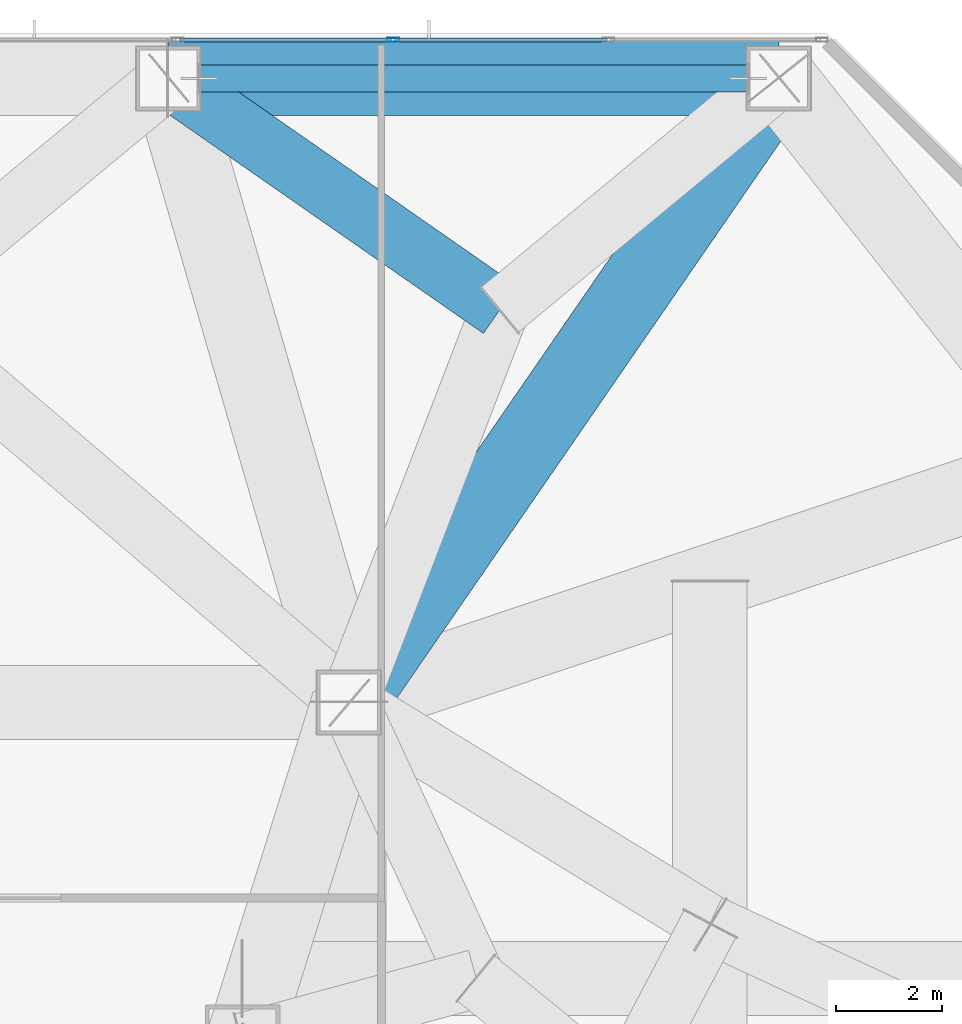
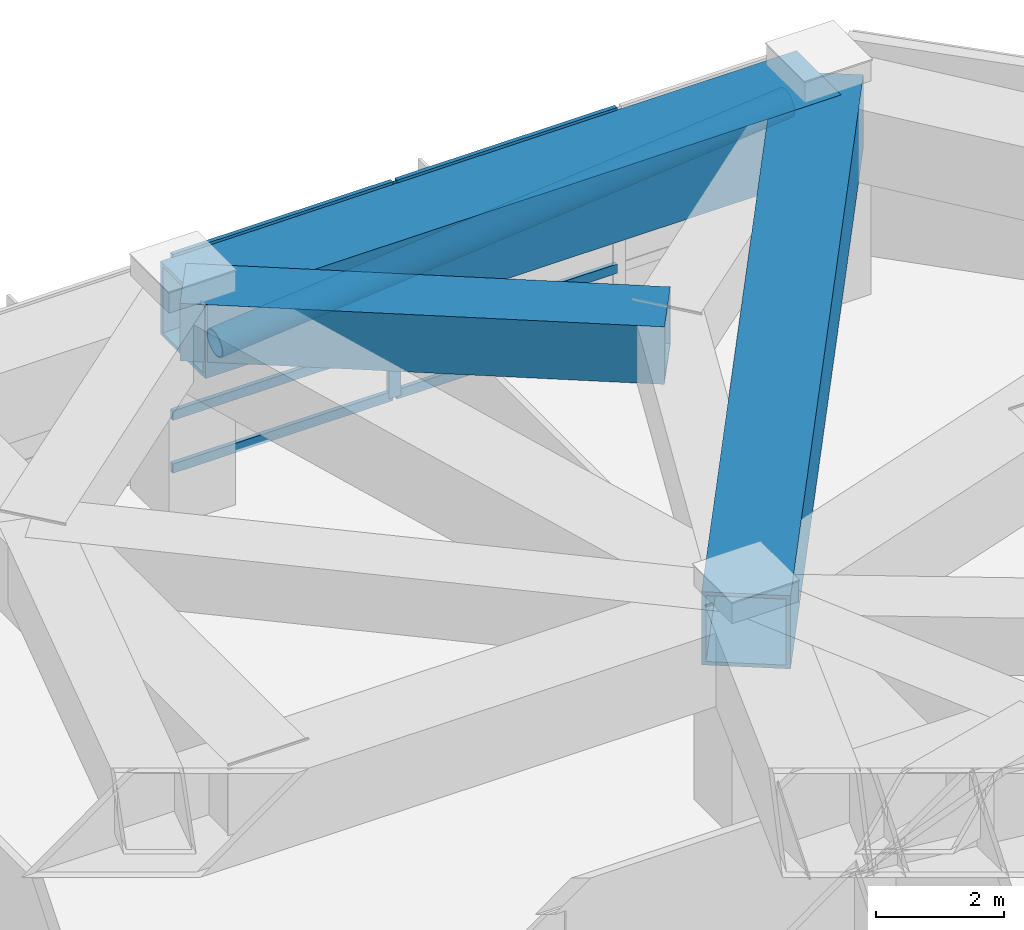
# One storey, part 11 of 27: 8 members, 3 beams, 1 element without a shape of its own.
"""IFC4 building model written with IfcOpenShell, lengths in metres."""

from ifc_helpers import new_model, si_unit, direction, frame, origin, origin_2d, place, context, subcontext, project, spatial, hollow_rectangle, hollow_circle, extrude, material, material_profile, profile_set, type_object, element, aggregate, save


model = new_model("IFC4")

# Units and contexts
model_context = context("Model", 3, precision=1e-05, world=origin(), true_north=direction((0.0, 1.0)))
body_context = subcontext(model_context, "Body", "Model", "MODEL_VIEW")
ifc_project = project(units=[si_unit("LENGTHUNIT", "METRE"), si_unit("AREAUNIT", "SQUARE_METRE"), si_unit("VOLUMEUNIT", "CUBIC_METRE"), si_unit("PLANEANGLEUNIT", "RADIAN"), si_unit("MASSUNIT", "GRAM", prefix="KILO")], contexts=[model_context])

# Site, building, storey
site_placement = place(None, origin())
site = spatial("IfcSite", under=ifc_project, at=site_placement, CompositionType="ELEMENT")
building_placement = place(site_placement, origin())
building = spatial("IfcBuilding", under=site, at=building_placement, Name="Khamvora Tower", CompositionType="ELEMENT")
storey_placement = place(building_placement, frame((0.0, 0.0, 28.800048828125)))
storey = spatial("IfcBuildingStorey", under=building, at=storey_placement, Name="L06", CompositionType="ELEMENT", Elevation=28.800048828125)

# Beams
ifc_material_1 = material(Name="Steel S460", Category="steel")
ifc_material_profile_1 = material_profile(ifc_material_1, hollow_rectangle(XDim=1.10009765625, YDim=1.10009765625, WallThickness=0.054931640625, at=origin_2d()), Name="BOX1100x1100x55")
ifc_profile_set_1 = profile_set([ifc_material_profile_1], Name="Steel S460")
beam_type_1 = type_object("IfcBeamType", Name="BM-TG-BOX1100", PredefinedType="BEAM", material=ifc_profile_set_1)
beam_1_placement = place(storey_placement, frame((38.0, 55.14990234375, 3.530029296875), z_axis=(0.820780366055, -0.571243897734, 0.0), x_axis=(0.571243897734, 0.820780366055, 0.0)))
element("IfcBeam", 1, at=beam_1_placement, inside=storey, type_object=beam_type_1, Name="L06 setback frame transfer frame transfer link N4.2", PredefinedType="BEAM", context=body_context, shape_type="SweptSolid", body=[
    extrude(hollow_rectangle(XDim=1.10009765625, YDim=1.10009765625, WallThickness=0.054931640625, at=origin_2d()), origin(), (0.0, 0.0, 1.0), 7.61474609375),
])
ifc_material_profile_2 = material_profile(ifc_material_1, hollow_rectangle(XDim=1.39990234375, YDim=1.39990234375, WallThickness=0.070068359375, at=origin_2d()), Name="BOX1400x1400x70")
ifc_profile_set_2 = profile_set([ifc_material_profile_2], Name="Steel S460")
beam_type_2 = type_object("IfcBeamType", Name="BM-TG-BOX1400", PredefinedType="BEAM", material=ifc_profile_set_2)
beam_2_placement = place(storey_placement, frame((49.5, 55.14990234375, 3.3798828125), z_axis=(-1.0, 0.0, 0.0), x_axis=(0.0, -1.0, 0.0)))
element("IfcBeam", 2, at=beam_2_placement, inside=storey, type_object=beam_type_2, Name="L06 perimeter spandrel beam P08-P07", PredefinedType="BEAM", context=body_context, shape_type="SweptSolid", body=[
    extrude(hollow_rectangle(XDim=1.39990234375, YDim=1.39990234375, WallThickness=0.070068359375, at=origin_2d()), origin(), (0.0, 0.0, 1.0), 11.5),
])
beam_3_placement = place(storey_placement, frame((41.39990234375, 43.39990234375, 3.3798828125), z_axis=(0.567573841069, 0.823322497527, 0.0), x_axis=(-0.823322497527, 0.567573841069, 0.0)))
element("IfcBeam", 3, at=beam_3_placement, inside=storey, type_object=beam_type_2, Name="L06 primary floor girder P08", PredefinedType="BEAM", context=body_context, shape_type="SweptSolid", body=[
    extrude(hollow_rectangle(XDim=1.39990234375, YDim=1.39990234375, WallThickness=0.070068359375, at=origin_2d()), origin(), (0.0, 0.0, 1.0), 14.271484375),
])

# Curtain wall, members
ifc_material_2 = material(Name="Anodised Aluminium 6063-T6", Category="aluminium")
curtain_wall_type = type_object("IfcCurtainWallType", Name="CW-SYS-01", PredefinedType="NOTDEFINED", material=ifc_material_2)
curtain_wall_placement = place(storey_placement, origin())
curtain_wall = element("IfcCurtainWall", 4, at=curtain_wall_placement, inside=storey, type_object=curtain_wall_type, Name="L06 stick curtain wall 07.1", PredefinedType="NOTDEFINED")
ifc_material_profile_3 = material_profile(ifc_material_2, hollow_rectangle(XDim=0.074951171875, YDim=0.219970703125, WallThickness=0.0048828125, at=origin_2d()), Name="MUL75x220x5")
ifc_profile_set_3 = profile_set([ifc_material_profile_3], Name="Anodised Aluminium 6063-T6")
member_type_1 = type_object("IfcMemberType", Name="CW-SYS-01-MUL", PredefinedType="MULLION", material=ifc_profile_set_3)
member_1_placement = place(storey_placement, frame((42.23681640625, 55.8798828125, 0.0), z_axis=(0.0, 0.0, 1.0), x_axis=(0.0, 1.0, 0.0)))
member_1 = element("IfcMember", 5, at=member_1_placement, type_object=member_type_1, Name="CW-01 mullion 10", PredefinedType="MULLION", context=body_context, shape_type="SweptSolid", body=[
    extrude(hollow_rectangle(XDim=0.074951171875, YDim=0.219970703125, WallThickness=0.0048828125, at=origin_2d()), origin(), (0.0, 0.0, 1.0), 4.079833984375),
])
ifc_material_profile_4 = material_profile(ifc_material_2, hollow_rectangle(XDim=0.074951171875, YDim=0.179931640625, WallThickness=0.0048828125, at=origin_2d()), Name="TRN75x180x5")
ifc_profile_set_4 = profile_set([ifc_material_profile_4], Name="Anodised Aluminium 6063-T6")
member_type_2 = type_object("IfcMemberType", Name="CW-SYS-01-TRN", PredefinedType="USERDEFINED", material=ifc_profile_set_4)
member_2_placement = place(storey_placement, frame((38.217529296875, 55.8798828125, 0.037353515625), z_axis=(1.0, 0.0, 0.0), x_axis=(0.0, 1.0, 0.0)))
member_2 = element("IfcMember", 6, at=member_2_placement, type_object=member_type_2, Name="CW-01 transom 9.1", ObjectType="TRANSOM", PredefinedType="USERDEFINED", context=body_context, shape_type="SweptSolid", body=[
    extrude(hollow_rectangle(XDim=0.074951171875, YDim=0.179931640625, WallThickness=0.0048828125, at=origin_2d()), origin(), (0.0, 0.0, 1.0), 3.981689453125),
])
member_3_placement = place(storey_placement, frame((38.217529296875, 55.8798828125, 1.050048828125), z_axis=(1.0, 0.0, 0.0), x_axis=(0.0, 1.0, 0.0)))
member_3 = element("IfcMember", 7, at=member_3_placement, type_object=member_type_2, Name="CW-01 transom 9.2", ObjectType="TRANSOM", PredefinedType="USERDEFINED", context=body_context, shape_type="SweptSolid", body=[
    extrude(hollow_rectangle(XDim=0.074951171875, YDim=0.179931640625, WallThickness=0.0048828125, at=origin_2d()), origin(), (0.0, 0.0, 1.0), 3.981689453125),
])
member_4_placement = place(storey_placement, frame((38.217529296875, 55.8798828125, 4.04248046875), z_axis=(1.0, 0.0, 0.0), x_axis=(0.0, 1.0, 0.0)))
member_4 = element("IfcMember", 8, at=member_4_placement, type_object=member_type_2, Name="CW-01 transom 9.3", ObjectType="TRANSOM", PredefinedType="USERDEFINED", context=body_context, shape_type="SweptSolid", body=[
    extrude(hollow_rectangle(XDim=0.074951171875, YDim=0.179931640625, WallThickness=0.0048828125, at=origin_2d()), origin(), (0.0, 0.0, 1.0), 3.981689453125),
])
member_5_placement = place(storey_placement, frame((42.274169921875, 55.8798828125, 0.037353515625), z_axis=(1.0, 0.0, 0.0), x_axis=(0.0, 1.0, 0.0)))
member_5 = element("IfcMember", 9, at=member_5_placement, type_object=member_type_2, Name="CW-01 transom 10.1", ObjectType="TRANSOM", PredefinedType="USERDEFINED", context=body_context, shape_type="SweptSolid", body=[
    extrude(hollow_rectangle(XDim=0.074951171875, YDim=0.179931640625, WallThickness=0.0048828125, at=origin_2d()), origin(), (0.0, 0.0, 1.0), 3.981689453125),
])
member_6_placement = place(storey_placement, frame((42.274169921875, 55.8798828125, 1.050048828125), z_axis=(1.0, 0.0, 0.0), x_axis=(0.0, 1.0, 0.0)))
member_6 = element("IfcMember", 10, at=member_6_placement, type_object=member_type_2, Name="CW-01 transom 10.2", ObjectType="TRANSOM", PredefinedType="USERDEFINED", context=body_context, shape_type="SweptSolid", body=[
    extrude(hollow_rectangle(XDim=0.074951171875, YDim=0.179931640625, WallThickness=0.0048828125, at=origin_2d()), origin(), (0.0, 0.0, 1.0), 3.981689453125),
])
member_7_placement = place(storey_placement, frame((42.274169921875, 55.8798828125, 4.04248046875), z_axis=(1.0, 0.0, 0.0), x_axis=(0.0, 1.0, 0.0)))
member_7 = element("IfcMember", 11, at=member_7_placement, type_object=member_type_2, Name="CW-01 transom 10.3", ObjectType="TRANSOM", PredefinedType="USERDEFINED", context=body_context, shape_type="SweptSolid", body=[
    extrude(hollow_rectangle(XDim=0.074951171875, YDim=0.179931640625, WallThickness=0.0048828125, at=origin_2d()), origin(), (0.0, 0.0, 1.0), 3.981689453125),
])
aggregate(curtain_wall, [member_1, member_2, member_3, member_4, member_5, member_6, member_7])

# Member
ifc_material_profile_5 = material_profile(ifc_material_1, hollow_circle(Radius=0.25390625, WallThickness=0.02490234375, at=origin_2d()), Name="CHS508x25")
ifc_profile_set_5 = profile_set([ifc_material_profile_5], Name="Steel S460")
member_type_3 = type_object("IfcMemberType", Name="MEM-BR-CHS508", PredefinedType="BRACE", material=ifc_profile_set_5)
member_8_placement = place(storey_placement, frame((38.576904296875, 55.14990234375, 2.73486328125), z_axis=(0.995524249911, 0.0, 0.094506443376), x_axis=(0.0, 1.0, 0.0)))
element("IfcMember", 12, at=member_8_placement, inside=storey, type_object=member_type_3, Name="L06 perimeter wind brace 4", PredefinedType="BRACE", context=body_context, shape_type="SweptSolid", body=[
    extrude(hollow_circle(Radius=0.25390625, WallThickness=0.02490234375, at=origin_2d()), origin(), (0.0, 0.0, 1.0), 10.392822265625),
])

save(model, "model.ifc")
